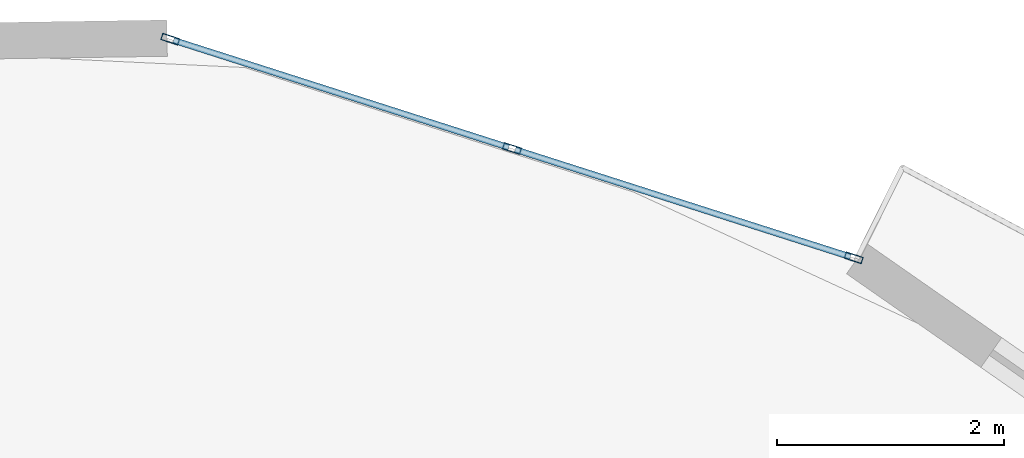
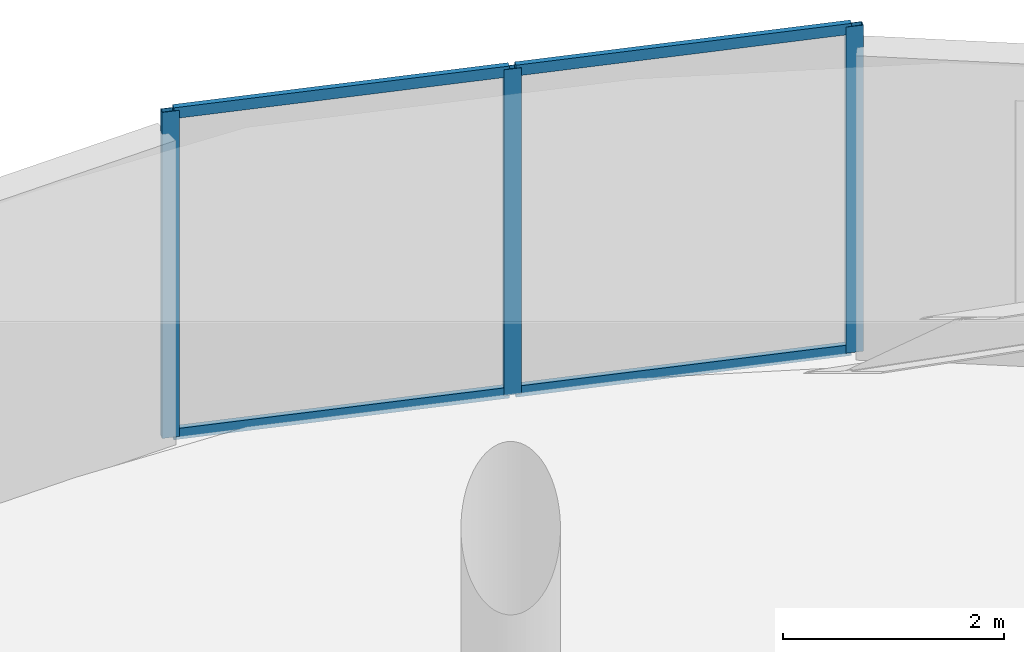
# One storey, part 11 of 18: 7 members, 1 element without a shape of its own.
"""IFC4 building model written with IfcOpenShell, lengths in metres."""

from ifc_helpers import new_model, si_unit, direction, frame, origin, origin_2d, place, context, subcontext, project, spatial, hollow_rectangle, extrude, source, transform, mapped, material, layer, layer_set, material_profile, profile_set, type_object, element, aggregate, save


model = new_model("IFC4")

# Units and contexts
model_context = context("Model", 3, precision=1e-05, world=origin(), true_north=direction((0.0, 1.0)))
body_context = subcontext(model_context, "Body", "Model", "MODEL_VIEW")
ifc_project = project(units=[si_unit("LENGTHUNIT", "METRE"), si_unit("AREAUNIT", "SQUARE_METRE"), si_unit("VOLUMEUNIT", "CUBIC_METRE"), si_unit("PLANEANGLEUNIT", "RADIAN"), si_unit("MASSUNIT", "GRAM", prefix="KILO")], contexts=[model_context])

# Site, building, storey
site_placement = place(None, origin())
site = spatial("IfcSite", under=ifc_project, at=site_placement, CompositionType="ELEMENT")
building_placement = place(site_placement, origin())
building = spatial("IfcBuilding", under=site, at=building_placement, Name="Solvirekh Grand Hotel", CompositionType="ELEMENT")
storey_placement = place(building_placement, frame((0.0, 0.0, 187.60009765625)))
storey = spatial("IfcBuildingStorey", under=building, at=storey_placement, Name="L48", CompositionType="ELEMENT", Elevation=187.60009765625)

# Curtain wall, members
ifc_material = material(Name="Anodized Bronze Aluminium 6063-T6", Category="aluminium")
ifc_layer = layer(ifc_material, 0.159912109375)
ifc_layer_set = layer_set([ifc_layer], Name="Anodized Bronze Aluminium 6063-T6")
curtain_wall_type = type_object("IfcCurtainWallType", Name="CW_Sys4_HighZoneFlushBronzeCW", PredefinedType="NOTDEFINED", material=ifc_layer_set)
curtain_wall_placement = place(storey_placement, origin())
curtain_wall = element("IfcCurtainWall", 1, at=curtain_wall_placement, inside=storey, type_object=curtain_wall_type, Name="L48 unitised bronze-glass curtain wall CW-L48-C08", PredefinedType="NOTDEFINED")
ifc_material_profile_1 = material_profile(ifc_material, hollow_rectangle(XDim=0.06005859375, YDim=0.159912109375, WallThickness=0.0048828125, at=origin_2d()), Name="ALU RHS 160X60X5")
ifc_profile_set_1 = profile_set([ifc_material_profile_1], Name="Anodized Bronze Aluminium 6063-T6")
member_type_1 = type_object("IfcMemberType", Name="CWMullion_Sys4", PredefinedType="MULLION", material=ifc_profile_set_1)
shared_shape_1 = source(origin(), body_context, "Body", "SweptSolid", [
    extrude(hollow_rectangle(XDim=0.06005859375, YDim=0.159912109375, WallThickness=0.0048828125, at=origin_2d()), origin(), (0.0, 0.0, 1.0), 3.599853515625),
])
member_1_placement = place(storey_placement, frame((5.37353515625, 18.898193359375, 0.0), z_axis=(0.0, 0.0, 1.0), x_axis=(-0.3047019063, -0.952447766703, 0.0)))
member_1 = element("IfcMember", 2, at=member_1_placement, type_object=member_type_1, Name="U04 mullion 1", PredefinedType="MULLION", context=body_context, shape_type="MappedRepresentation", body=[
    mapped(shared_shape_1, transform((0.0, 0.0, 0.0), x_axis=(1.0, 0.0, 0.0), y_axis=(0.0, 1.0, 0.0), z_axis=(0.0, 0.0, 1.0), scale=1.0)),
])
member_2_placement = place(storey_placement, frame((2.35888671875, 19.862548828125, 0.0), z_axis=(0.0, 0.0, 1.0), x_axis=(-0.3047019063, -0.952447766703, 0.0)))
member_2 = element("IfcMember", 3, at=member_2_placement, type_object=member_type_1, Name="U04 mullion 2", PredefinedType="MULLION", context=body_context, shape_type="MappedRepresentation", body=[
    mapped(shared_shape_1, transform((0.0, 0.0, 0.0), x_axis=(1.0, 0.0, 0.0), y_axis=(0.0, 1.0, 0.0), z_axis=(0.0, 0.0, 1.0), scale=1.0)),
])
member_3_placement = place(storey_placement, frame((-0.655517578125, 20.826904296875, 0.0), z_axis=(0.0, 0.0, 1.0), x_axis=(-0.3047019063, -0.952447766703, 0.0)))
member_3 = element("IfcMember", 4, at=member_3_placement, type_object=member_type_1, Name="U04 mullion 3", PredefinedType="MULLION", context=body_context, shape_type="MappedRepresentation", body=[
    mapped(shared_shape_1, transform((0.0, 0.0, 0.0), x_axis=(1.0, 0.0, 0.0), y_axis=(0.0, 1.0, 0.0), z_axis=(0.0, 0.0, 1.0), scale=1.0)),
])
ifc_material_profile_2 = material_profile(ifc_material, hollow_rectangle(XDim=0.054931640625, YDim=0.1201171875, WallThickness=0.00390625, at=origin_2d()), Name="ALU RHS 120X55X4")
ifc_profile_set_2 = profile_set([ifc_material_profile_2], Name="Anodized Bronze Aluminium 6063-T6")
member_type_2 = type_object("IfcMemberType", Name="CWTransom_Sys4", PredefinedType="USERDEFINED", material=ifc_profile_set_2)
shared_shape_2 = source(origin(), body_context, "Body", "SweptSolid", [
    extrude(hollow_rectangle(XDim=0.054931640625, YDim=0.1201171875, WallThickness=0.00390625, at=origin_2d()), origin(), (0.0, 0.0, 1.0), 3.10498046875),
])
member_4_placement = place(storey_placement, frame((5.344970703125, 18.9072265625, 0.02734375), z_axis=(-0.952450620041, 0.304692987093, 0.0), x_axis=(-0.304692987093, -0.952450620041, 0.0)))
member_4 = element("IfcMember", 5, at=member_4_placement, type_object=member_type_2, Name="U04 transom 1.1", ObjectType="TRANSOM", PredefinedType="USERDEFINED", context=body_context, shape_type="MappedRepresentation", body=[
    mapped(shared_shape_2, transform((0.0, 0.0, 0.0), x_axis=(1.0, 0.0, 0.0), y_axis=(0.0, 1.0, 0.0), z_axis=(0.0, 0.0, 1.0), scale=1.0)),
])
member_5_placement = place(storey_placement, frame((5.344970703125, 18.9072265625, 3.572509765625), z_axis=(-0.952450620041, 0.304692987093, 0.0), x_axis=(-0.304692987093, -0.952450620041, 0.0)))
member_5 = element("IfcMember", 6, at=member_5_placement, type_object=member_type_2, Name="U04 transom 1.2", ObjectType="TRANSOM", PredefinedType="USERDEFINED", context=body_context, shape_type="MappedRepresentation", body=[
    mapped(shared_shape_2, transform((0.0, 0.0, 0.0), x_axis=(1.0, 0.0, 0.0), y_axis=(0.0, 1.0, 0.0), z_axis=(0.0, 0.0, 1.0), scale=1.0)),
])
member_6_placement = place(storey_placement, frame((2.330322265625, 19.87158203125, 0.02734375), z_axis=(-0.952450620041, 0.304692987093, 0.0), x_axis=(-0.304692987093, -0.952450620041, 0.0)))
member_6 = element("IfcMember", 7, at=member_6_placement, type_object=member_type_2, Name="U04 transom 2.1", ObjectType="TRANSOM", PredefinedType="USERDEFINED", context=body_context, shape_type="MappedRepresentation", body=[
    mapped(shared_shape_2, transform((0.0, 0.0, 0.0), x_axis=(1.0, 0.0, 0.0), y_axis=(0.0, 1.0, 0.0), z_axis=(0.0, 0.0, 1.0), scale=1.0)),
])
member_7_placement = place(storey_placement, frame((2.330322265625, 19.87158203125, 3.572509765625), z_axis=(-0.952450620041, 0.304692987093, 0.0), x_axis=(-0.304692987093, -0.952450620041, 0.0)))
member_7 = element("IfcMember", 8, at=member_7_placement, type_object=member_type_2, Name="U04 transom 2.2", ObjectType="TRANSOM", PredefinedType="USERDEFINED", context=body_context, shape_type="MappedRepresentation", body=[
    mapped(shared_shape_2, transform((0.0, 0.0, 0.0), x_axis=(1.0, 0.0, 0.0), y_axis=(0.0, 1.0, 0.0), z_axis=(0.0, 0.0, 1.0), scale=1.0)),
])
aggregate(curtain_wall, [member_1, member_2, member_3, member_4, member_5, member_6, member_7])

save(model, "model.ifc")
